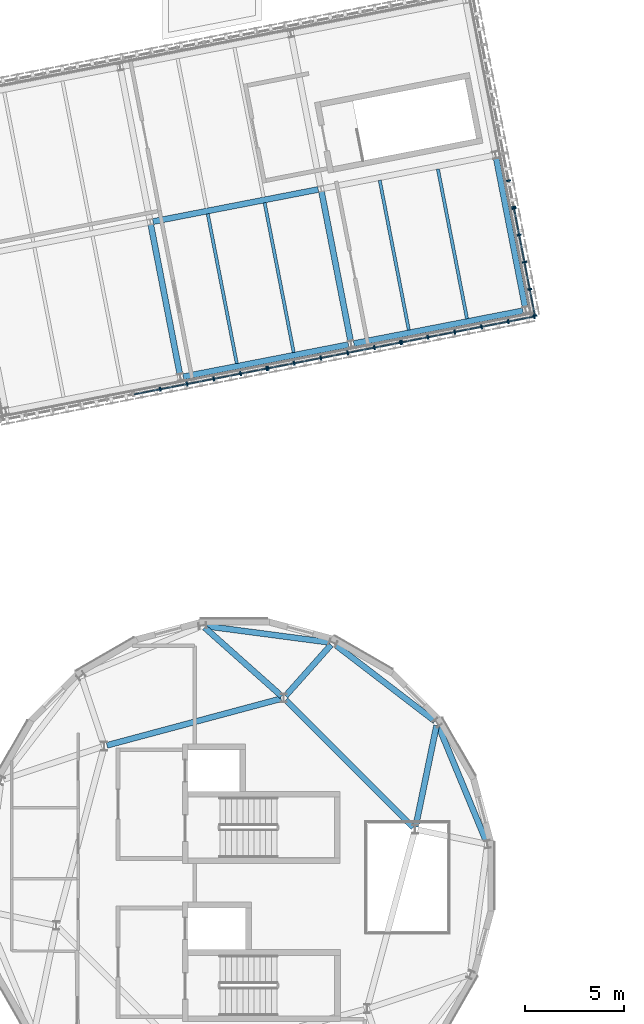
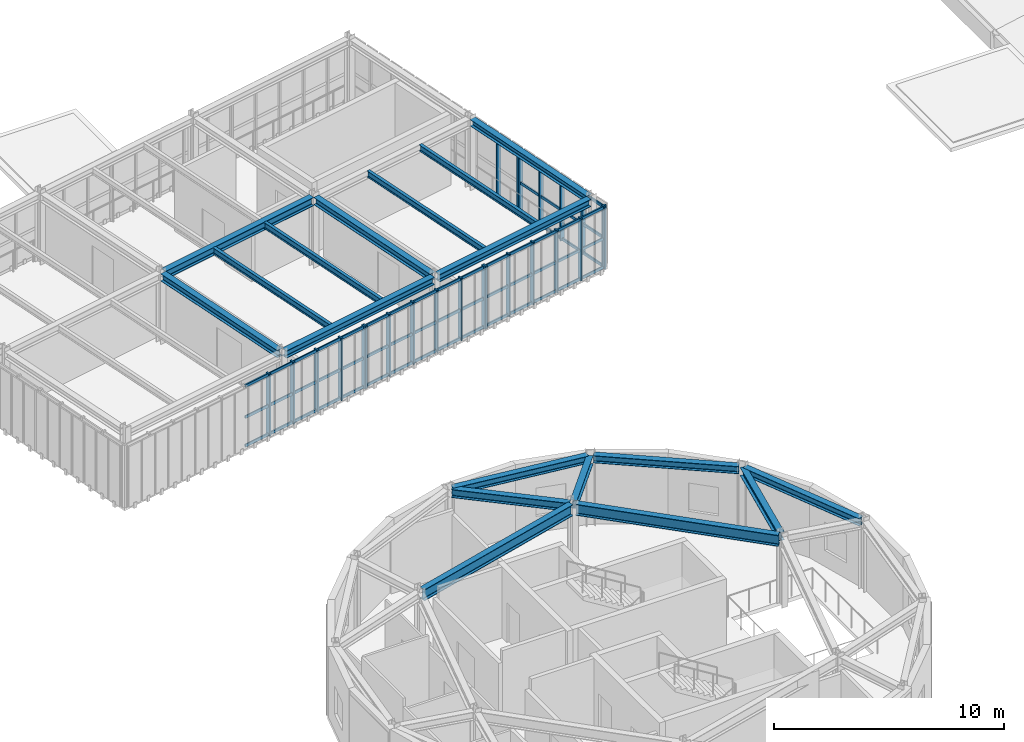
# One storey, part 14 of 44: 36 members, 18 beams, 5 elements without a shape of their own.
"""IFC4 building model written with IfcOpenShell, lengths in metres."""

from ifc_helpers import new_model, si_unit, direction, frame, origin, origin_2d, place, context, subcontext, project, spatial, rectangle, i_section, extrude, material, material_profile, profile_set, type_object, element, aggregate, save


model = new_model("IFC4")

# Units and contexts
model_context = context("Model", 3, precision=1e-05, world=origin(), true_north=direction((0.0, 1.0)))
body_context = subcontext(model_context, "Body", "Model", "MODEL_VIEW")
ifc_project = project(units=[si_unit("LENGTHUNIT", "METRE"), si_unit("AREAUNIT", "SQUARE_METRE"), si_unit("VOLUMEUNIT", "CUBIC_METRE"), si_unit("PLANEANGLEUNIT", "RADIAN"), si_unit("MASSUNIT", "GRAM", prefix="KILO")], contexts=[model_context])

# Site, building, storey
site_placement = place(None, origin())
site = spatial("IfcSite", under=ifc_project, at=site_placement, CompositionType="ELEMENT")
building_placement = place(site_placement, origin())
building = spatial("IfcBuilding", under=site, at=building_placement, Name="Varnklinge Art Gallery", CompositionType="ELEMENT")
storey_placement = place(building_placement, frame((0.0, 0.0, 13.679931640625)))
storey = spatial("IfcBuildingStorey", under=building, at=storey_placement, Name="L03", CompositionType="ELEMENT", Elevation=13.679931640625)

# Beams
ifc_material_1 = material(Name="Steel S355", Category="steel")
ifc_material_profile_1 = material_profile(ifc_material_1, i_section(OverallWidth=0.300048828125, OverallDepth=0.590087890625, WebThickness=0.012939453125, FlangeThickness=0.02490234375, FilletRadius=0.027099609375, at=origin_2d()), Name="HEA 600")
ifc_profile_set_1 = profile_set([ifc_material_profile_1], Name="Steel S355")
beam_type_1 = type_object("IfcBeamType", Name="BM-06", PredefinedType="BEAM", material=ifc_profile_set_1)
beam_1_placement = place(storey_placement, frame((84.480712890625, 41.031982421875, 3.465087890625), z_axis=(-0.707106781187, 0.707106781187, 0.0), x_axis=(-0.707106781187, -0.707106781187, 0.0)))
element("IfcBeam", 1, at=beam_1_placement, inside=storey, type_object=beam_type_1, Name="L03 BM-06 BM-V4D-L04-I1", PredefinedType="BEAM", context=body_context, shape_type="SweptSolid", body=[
    extrude(i_section(OverallWidth=0.300048828125, OverallDepth=0.590087890625, WebThickness=0.012939453125, FlangeThickness=0.02490234375, FilletRadius=0.027099609375, at=origin_2d()), origin(), (0.0, 0.0, 1.0), 9.119873046875),
])
beam_2_placement = place(storey_placement, frame((77.797607421875, 47.54345703125, 3.465087890625), z_axis=(-0.965928574877, -0.258808787016, 0.0), x_axis=(0.258808787016, -0.965928574877, 0.0)))
element("IfcBeam", 2, at=beam_2_placement, inside=storey, type_object=beam_type_1, Name="L03 BM-06 BM-V4D-L04-I2", PredefinedType="BEAM", context=body_context, shape_type="SweptSolid", body=[
    extrude(i_section(OverallWidth=0.300048828125, OverallDepth=0.590087890625, WebThickness=0.012939453125, FlangeThickness=0.02490234375, FilletRadius=0.027099609375, at=origin_2d()), origin(), (0.0, 0.0, 1.0), 9.1201171875),
])
ifc_material_2 = material(Name="Steel S355", Category="steel")
ifc_material_profile_2 = material_profile(ifc_material_2, i_section(OverallWidth=0.300048828125, OverallDepth=0.43994140625, WebThickness=0.011474609375, FlangeThickness=0.02099609375, FilletRadius=0.027099609375, at=origin_2d()), Name="HEA 450")
ifc_profile_set_2 = profile_set([ifc_material_profile_2], Name="Steel S355")
beam_type_2 = type_object("IfcBeamType", Name="BM-08", PredefinedType="BEAM", material=ifc_profile_set_2)
beam_3_placement = place(storey_placement, frame((84.608154296875, 41.070068359375, 3.5400390625), z_axis=(0.202556149381, 0.979270650202, 0.0), x_axis=(-0.979270650202, 0.202556149381, 0.0)))
element("IfcBeam", 3, at=beam_3_placement, inside=storey, type_object=beam_type_2, Name="L03 BM-08 BM-V4D-L04-R02", PredefinedType="BEAM", context=body_context, shape_type="SweptSolid", body=[
    extrude(i_section(OverallWidth=0.300048828125, OverallDepth=0.43994140625, WebThickness=0.011474609375, FlangeThickness=0.02099609375, FilletRadius=0.027099609375, at=origin_2d()), origin(), (0.0, 0.0, 1.0), 5.223876953125),
])
beam_4_placement = place(storey_placement, frame((78.02587890625, 47.684326171875, 3.5400390625), z_axis=(0.664780083084, 0.747039116201, 0.0), x_axis=(-0.747039116201, 0.664780083084, 0.0)))
element("IfcBeam", 4, at=beam_4_placement, inside=storey, type_object=beam_type_2, Name="L03 BM-08 BM-V4D-L04-R03", PredefinedType="BEAM", context=body_context, shape_type="SweptSolid", body=[
    extrude(i_section(OverallWidth=0.300048828125, OverallDepth=0.43994140625, WebThickness=0.011474609375, FlangeThickness=0.02099609375, FilletRadius=0.027099609375, at=origin_2d()), origin(), (0.0, 0.0, 1.0), 3.457763671875),
])
beam_5_placement = place(storey_placement, frame((77.828369140625, 47.6728515625, 3.5400390625), z_axis=(-0.746795307155, 0.665053959623, 0.0), x_axis=(-0.665053959623, -0.746795307155, 0.0)))
element("IfcBeam", 5, at=beam_5_placement, inside=storey, type_object=beam_type_2, Name="L03 BM-08 BM-V4D-L04-R04", PredefinedType="BEAM", context=body_context, shape_type="SweptSolid", body=[
    extrude(i_section(OverallWidth=0.300048828125, OverallDepth=0.43994140625, WebThickness=0.011474609375, FlangeThickness=0.02099609375, FilletRadius=0.027099609375, at=origin_2d()), origin(), (0.0, 0.0, 1.0), 5.223876953125),
])
beam_6_placement = place(storey_placement, frame((71.318115234375, 71.68701171875, 3.5400390625), z_axis=(0.981622248906, 0.19083437964, 0.0), x_axis=(-0.19083437964, 0.981622248906, 0.0)))
element("IfcBeam", 6, at=beam_6_placement, inside=storey, type_object=beam_type_2, Name="L03 BM-08 BM-V4B-L04-U1-1", PredefinedType="BEAM", context=body_context, shape_type="SweptSolid", body=[
    extrude(i_section(OverallWidth=0.300048828125, OverallDepth=0.43994140625, WebThickness=0.011474609375, FlangeThickness=0.02099609375, FilletRadius=0.027099609375, at=origin_2d()), origin(), (0.0, 0.0, 1.0), 8.520263671875),
])
ifc_material_3 = material(Name="Steel S355", Category="steel")
ifc_material_profile_3 = material_profile(ifc_material_3, i_section(OverallWidth=0.300048828125, OverallDepth=0.389892578125, WebThickness=0.010986328125, FlangeThickness=0.01904296875, FilletRadius=0.027099609375, at=origin_2d()), Name="HEA 400")
ifc_profile_set_3 = profile_set([ifc_material_profile_3], Name="Steel S355")
beam_type_3 = type_object("IfcBeamType", Name="BM-09", PredefinedType="BEAM", material=ifc_profile_set_3)
beam_7_placement = place(storey_placement, frame((72.6806640625, 63.94482421875, 3.565185546875), z_axis=(-0.190822257393, 0.98162460548, 0.0), x_axis=(-0.98162460548, -0.190822257393, 0.0)))
element("IfcBeam", 7, at=beam_7_placement, inside=storey, type_object=beam_type_3, Name="L03 BM-09 BM-V4B-L04-V1-0", PredefinedType="BEAM", context=body_context, shape_type="SweptSolid", body=[
    extrude(i_section(OverallWidth=0.300048828125, OverallDepth=0.389892578125, WebThickness=0.010986328125, FlangeThickness=0.01904296875, FilletRadius=0.027099609375, at=origin_2d()), origin(), (0.0, 0.0, 1.0), 7.719970703125),
])
beam_8_placement = place(storey_placement, frame((81.31884765625, 65.623779296875, 3.565185546875), z_axis=(-0.190785861445, 0.981631679946, 0.0), x_axis=(-0.981631679946, -0.190785861445, 0.0)))
element("IfcBeam", 8, at=beam_8_placement, inside=storey, type_object=beam_type_3, Name="L03 BM-09 BM-V4B-L04-V2-0", PredefinedType="BEAM", context=body_context, shape_type="SweptSolid", body=[
    extrude(i_section(OverallWidth=0.300048828125, OverallDepth=0.389892578125, WebThickness=0.010986328125, FlangeThickness=0.01904296875, FilletRadius=0.027099609375, at=origin_2d()), origin(), (0.0, 0.0, 1.0), 7.72021484375),
])
ifc_material_4 = material(Name="Steel S355", Category="steel")
ifc_material_profile_4 = material_profile(ifc_material_4, i_section(OverallWidth=0.159912109375, OverallDepth=0.330078125, WebThickness=0.007568359375, FlangeThickness=0.011474609375, FilletRadius=0.01806640625, at=origin_2d()), Name="IPE 330")
ifc_profile_set_4 = profile_set([ifc_material_profile_4], Name="Steel S355")
beam_type_4 = type_object("IfcBeamType", Name="JST-07", PredefinedType="JOIST", material=ifc_profile_set_4)
beam_9_placement = place(storey_placement, frame((75.56005859375, 64.50439453125, 3.594970703125), z_axis=(-0.190816333803, 0.981625756974, 0.0), x_axis=(-0.981625756974, -0.190816333803, 0.0)))
element("IfcBeam", 9, at=beam_9_placement, inside=storey, type_object=beam_type_4, Name="L03 JST-07 JST-V4B-L04-1-0-1", PredefinedType="JOIST", context=body_context, shape_type="SweptSolid", body=[
    extrude(i_section(OverallWidth=0.159912109375, OverallDepth=0.330078125, WebThickness=0.007568359375, FlangeThickness=0.011474609375, FilletRadius=0.01806640625, at=origin_2d()), origin(), (0.0, 0.0, 1.0), 7.72021484375),
])
beam_10_placement = place(storey_placement, frame((78.439453125, 65.064208984375, 3.594970703125), z_axis=(-0.190822257393, 0.98162460548, 0.0), x_axis=(-0.98162460548, -0.190822257393, 0.0)))
element("IfcBeam", 10, at=beam_10_placement, inside=storey, type_object=beam_type_4, Name="L03 JST-07 JST-V4B-L04-1-0-2", PredefinedType="JOIST", context=body_context, shape_type="SweptSolid", body=[
    extrude(i_section(OverallWidth=0.159912109375, OverallDepth=0.330078125, WebThickness=0.007568359375, FlangeThickness=0.011474609375, FilletRadius=0.01806640625, at=origin_2d()), origin(), (0.0, 0.0, 1.0), 7.719970703125),
])
beam_11_placement = place(storey_placement, frame((84.263916015625, 66.1962890625, 3.594970703125), z_axis=(-0.190816333803, 0.981625756974, 0.0), x_axis=(-0.981625756974, -0.190816333803, 0.0)))
element("IfcBeam", 11, at=beam_11_placement, inside=storey, type_object=beam_type_4, Name="L03 JST-07 JST-V4B-L04-2-0-1", PredefinedType="JOIST", context=body_context, shape_type="SweptSolid", body=[
    extrude(i_section(OverallWidth=0.159912109375, OverallDepth=0.330078125, WebThickness=0.007568359375, FlangeThickness=0.011474609375, FilletRadius=0.01806640625, at=origin_2d()), origin(), (0.0, 0.0, 1.0), 7.72021484375),
])
beam_12_placement = place(storey_placement, frame((87.208740234375, 66.768798828125, 3.594970703125), z_axis=(-0.190822257393, 0.98162460548, 0.0), x_axis=(-0.98162460548, -0.190822257393, 0.0)))
element("IfcBeam", 12, at=beam_12_placement, inside=storey, type_object=beam_type_4, Name="L03 JST-07 JST-V4B-L04-2-0-2", PredefinedType="JOIST", context=body_context, shape_type="SweptSolid", body=[
    extrude(i_section(OverallWidth=0.159912109375, OverallDepth=0.330078125, WebThickness=0.007568359375, FlangeThickness=0.011474609375, FilletRadius=0.01806640625, at=origin_2d()), origin(), (0.0, 0.0, 1.0), 7.719970703125),
])

# Curtain wall, members
ifc_material_5 = material(Name="Anodised Aluminium", Category="aluminium")
curtain_wall_type_1 = type_object("IfcCurtainWallType", Name="CW-L04", PredefinedType="USERDEFINED", material=ifc_material_5)
curtain_wall_1_placement = place(storey_placement, origin())
curtain_wall_1 = element("IfcCurtainWall", 13, at=curtain_wall_1_placement, inside=storey, type_object=curtain_wall_type_1, Name="L03 Curtain Wall CW-V4B-L03-1-1-2", ObjectType="UNITISED CURTAIN WALL", PredefinedType="USERDEFINED")
ifc_material_6 = material(Name="Anodised Aluminium", Category="aluminium")
ifc_material_profile_5 = material_profile(ifc_material_6, rectangle(XDim=0.074951171875, YDim=0.219970703125, at=origin_2d()), Name="ALU 75x220")
ifc_profile_set_5 = profile_set([ifc_material_profile_5], Name="Anodised Aluminium")
member_type_1 = type_object("IfcMemberType", Name="MUL-02", PredefinedType="MULLION", material=ifc_profile_set_5)
member_1_placement = place(storey_placement, frame((71.68408203125, 63.201171875, 0.0), z_axis=(0.0, 0.0, 1.0), x_axis=(0.981627183448, 0.190808995377, 0.0)))
member_1 = element("IfcMember", 14, at=member_1_placement, type_object=member_type_1, Name="CW-V4B-L03-1-1-2 Mullion 2", PredefinedType="MULLION", context=body_context, shape_type="SweptSolid", body=[
    extrude(rectangle(XDim=0.074951171875, YDim=0.219970703125, at=origin_2d()), origin(), (0.0, 0.0, 1.0), 3.31005859375),
])
member_2_placement = place(storey_placement, frame((73.038818359375, 63.46435546875, 0.0), z_axis=(0.0, 0.0, 1.0), x_axis=(0.981627183448, 0.190808995377, 0.0)))
member_2 = element("IfcMember", 15, at=member_2_placement, type_object=member_type_1, Name="CW-V4B-L03-1-1-2 Mullion 3", PredefinedType="MULLION", context=body_context, shape_type="SweptSolid", body=[
    extrude(rectangle(XDim=0.074951171875, YDim=0.219970703125, at=origin_2d()), origin(), (0.0, 0.0, 1.0), 3.31005859375),
])
member_3_placement = place(storey_placement, frame((74.3935546875, 63.727783203125, 0.0), z_axis=(0.0, 0.0, 1.0), x_axis=(0.981627183448, 0.190808995377, 0.0)))
member_3 = element("IfcMember", 16, at=member_3_placement, type_object=member_type_1, Name="CW-V4B-L03-1-1-2 Mullion 4", PredefinedType="MULLION", context=body_context, shape_type="SweptSolid", body=[
    extrude(rectangle(XDim=0.074951171875, YDim=0.219970703125, at=origin_2d()), origin(), (0.0, 0.0, 1.0), 3.31005859375),
])
member_4_placement = place(storey_placement, frame((75.748046875, 63.9912109375, 0.0), z_axis=(0.0, 0.0, 1.0), x_axis=(0.981627183448, 0.190808995377, 0.0)))
member_4 = element("IfcMember", 17, at=member_4_placement, type_object=member_type_1, Name="CW-V4B-L03-1-1-2 Mullion 5", PredefinedType="MULLION", context=body_context, shape_type="SweptSolid", body=[
    extrude(rectangle(XDim=0.074951171875, YDim=0.219970703125, at=origin_2d()), origin(), (0.0, 0.0, 1.0), 3.31005859375),
])
member_5_placement = place(storey_placement, frame((77.06591796875, 64.247314453125, 0.0), z_axis=(0.0, 0.0, 1.0), x_axis=(0.981627183448, 0.190808995377, 0.0)))
member_5 = element("IfcMember", 18, at=member_5_placement, type_object=member_type_1, Name="CW-V4B-L03-1-1-2 Mullion 6", PredefinedType="MULLION", context=body_context, shape_type="SweptSolid", body=[
    extrude(rectangle(XDim=0.074951171875, YDim=0.219970703125, at=origin_2d()), origin(), (0.0, 0.0, 1.0), 3.31005859375),
])

curtain_wall_2_placement = place(storey_placement, origin())
curtain_wall_2 = element("IfcCurtainWall", 19, at=curtain_wall_2_placement, inside=storey, type_object=curtain_wall_type_1, Name="L03 Curtain Wall CW-V4B-L03-1-1-3", ObjectType="UNITISED CURTAIN WALL", PredefinedType="USERDEFINED")
member_6_placement = place(storey_placement, frame((77.1396484375, 64.26171875, 0.0), z_axis=(0.0, 0.0, 1.0), x_axis=(0.981627183448, 0.190808995377, 0.0)))
member_6 = element("IfcMember", 20, at=member_6_placement, type_object=member_type_1, Name="CW-V4B-L03-1-1-3 Mullion 1", PredefinedType="MULLION", context=body_context, shape_type="SweptSolid", body=[
    extrude(rectangle(XDim=0.074951171875, YDim=0.219970703125, at=origin_2d()), origin(), (0.0, 0.0, 1.0), 3.31005859375),
])
member_7_placement = place(storey_placement, frame((78.45751953125, 64.517578125, 0.0), z_axis=(0.0, 0.0, 1.0), x_axis=(0.981627183448, 0.190808995377, 0.0)))
member_7 = element("IfcMember", 21, at=member_7_placement, type_object=member_type_1, Name="CW-V4B-L03-1-1-3 Mullion 2", PredefinedType="MULLION", context=body_context, shape_type="SweptSolid", body=[
    extrude(rectangle(XDim=0.074951171875, YDim=0.219970703125, at=origin_2d()), origin(), (0.0, 0.0, 1.0), 3.31005859375),
])
member_8_placement = place(storey_placement, frame((79.81201171875, 64.781005859375, 0.0), z_axis=(0.0, 0.0, 1.0), x_axis=(0.981627183448, 0.190808995377, 0.0)))
member_8 = element("IfcMember", 22, at=member_8_placement, type_object=member_type_1, Name="CW-V4B-L03-1-1-3 Mullion 3", PredefinedType="MULLION", context=body_context, shape_type="SweptSolid", body=[
    extrude(rectangle(XDim=0.074951171875, YDim=0.219970703125, at=origin_2d()), origin(), (0.0, 0.0, 1.0), 3.31005859375),
])
member_9_placement = place(storey_placement, frame((81.166748046875, 65.044189453125, 0.0), z_axis=(0.0, 0.0, 1.0), x_axis=(0.981627183448, 0.190808995377, 0.0)))
member_9 = element("IfcMember", 23, at=member_9_placement, type_object=member_type_1, Name="CW-V4B-L03-1-1-3 Mullion 4", PredefinedType="MULLION", context=body_context, shape_type="SweptSolid", body=[
    extrude(rectangle(XDim=0.074951171875, YDim=0.219970703125, at=origin_2d()), origin(), (0.0, 0.0, 1.0), 3.31005859375),
])
member_10_placement = place(storey_placement, frame((82.521484375, 65.3076171875, 0.0), z_axis=(0.0, 0.0, 1.0), x_axis=(0.981627183448, 0.190808995377, 0.0)))
member_10 = element("IfcMember", 24, at=member_10_placement, type_object=member_type_1, Name="CW-V4B-L03-1-1-3 Mullion 5", PredefinedType="MULLION", context=body_context, shape_type="SweptSolid", body=[
    extrude(rectangle(XDim=0.074951171875, YDim=0.219970703125, at=origin_2d()), origin(), (0.0, 0.0, 1.0), 3.31005859375),
])
member_11_placement = place(storey_placement, frame((83.839111328125, 65.563720703125, 0.0), z_axis=(0.0, 0.0, 1.0), x_axis=(0.981627183448, 0.190808995377, 0.0)))
member_11 = element("IfcMember", 25, at=member_11_placement, type_object=member_type_1, Name="CW-V4B-L03-1-1-3 Mullion 6", PredefinedType="MULLION", context=body_context, shape_type="SweptSolid", body=[
    extrude(rectangle(XDim=0.074951171875, YDim=0.219970703125, at=origin_2d()), origin(), (0.0, 0.0, 1.0), 3.31005859375),
])

curtain_wall_3_placement = place(storey_placement, origin())
curtain_wall_3 = element("IfcCurtainWall", 26, at=curtain_wall_3_placement, inside=storey, type_object=curtain_wall_type_1, Name="L03 Curtain Wall CW-V4B-L03-1-1-4", ObjectType="UNITISED CURTAIN WALL", PredefinedType="USERDEFINED")
member_12_placement = place(storey_placement, frame((83.912841796875, 65.578125, 0.0), z_axis=(0.0, 0.0, 1.0), x_axis=(0.981627183448, 0.190808995377, 0.0)))
member_12 = element("IfcMember", 27, at=member_12_placement, type_object=member_type_1, Name="CW-V4B-L03-1-1-4 Mullion 1", PredefinedType="MULLION", context=body_context, shape_type="SweptSolid", body=[
    extrude(rectangle(XDim=0.074951171875, YDim=0.219970703125, at=origin_2d()), origin(), (0.0, 0.0, 1.0), 3.31005859375),
])
member_13_placement = place(storey_placement, frame((85.230712890625, 65.834228515625, 0.0), z_axis=(0.0, 0.0, 1.0), x_axis=(0.981627183448, 0.190808995377, 0.0)))
member_13 = element("IfcMember", 28, at=member_13_placement, type_object=member_type_1, Name="CW-V4B-L03-1-1-4 Mullion 2", PredefinedType="MULLION", context=body_context, shape_type="SweptSolid", body=[
    extrude(rectangle(XDim=0.074951171875, YDim=0.219970703125, at=origin_2d()), origin(), (0.0, 0.0, 1.0), 3.31005859375),
])
member_14_placement = place(storey_placement, frame((86.585205078125, 66.097412109375, 0.0), z_axis=(0.0, 0.0, 1.0), x_axis=(0.981627183448, 0.190808995377, 0.0)))
member_14 = element("IfcMember", 29, at=member_14_placement, type_object=member_type_1, Name="CW-V4B-L03-1-1-4 Mullion 3", PredefinedType="MULLION", context=body_context, shape_type="SweptSolid", body=[
    extrude(rectangle(XDim=0.074951171875, YDim=0.219970703125, at=origin_2d()), origin(), (0.0, 0.0, 1.0), 3.31005859375),
])
member_15_placement = place(storey_placement, frame((87.93994140625, 66.36083984375, 0.0), z_axis=(0.0, 0.0, 1.0), x_axis=(0.981627183448, 0.190808995377, 0.0)))
member_15 = element("IfcMember", 30, at=member_15_placement, type_object=member_type_1, Name="CW-V4B-L03-1-1-4 Mullion 4", PredefinedType="MULLION", context=body_context, shape_type="SweptSolid", body=[
    extrude(rectangle(XDim=0.074951171875, YDim=0.219970703125, at=origin_2d()), origin(), (0.0, 0.0, 1.0), 3.31005859375),
])
member_16_placement = place(storey_placement, frame((89.294677734375, 66.624267578125, 0.0), z_axis=(0.0, 0.0, 1.0), x_axis=(0.981627183448, 0.190808995377, 0.0)))
member_16 = element("IfcMember", 31, at=member_16_placement, type_object=member_type_1, Name="CW-V4B-L03-1-1-4 Mullion 5", PredefinedType="MULLION", context=body_context, shape_type="SweptSolid", body=[
    extrude(rectangle(XDim=0.074951171875, YDim=0.219970703125, at=origin_2d()), origin(), (0.0, 0.0, 1.0), 3.31005859375),
])
member_17_placement = place(storey_placement, frame((90.612548828125, 66.88037109375, 0.0), z_axis=(0.0, 0.0, 1.0), x_axis=(0.981627183448, 0.190808995377, 0.0)))
member_17 = element("IfcMember", 32, at=member_17_placement, type_object=member_type_1, Name="CW-V4B-L03-1-1-4 Mullion 6", PredefinedType="MULLION", context=body_context, shape_type="SweptSolid", body=[
    extrude(rectangle(XDim=0.074951171875, YDim=0.219970703125, at=origin_2d()), origin(), (0.0, 0.0, 1.0), 3.31005859375),
])

ifc_material_7 = material(Name="Anodised Aluminium", Category="aluminium")
curtain_wall_type_2 = type_object("IfcCurtainWallType", Name="CW-L08", PredefinedType="USERDEFINED", material=ifc_material_7)
curtain_wall_4_placement = place(storey_placement, origin())
curtain_wall_4 = element("IfcCurtainWall", 33, at=curtain_wall_4_placement, inside=storey, type_object=curtain_wall_type_2, Name="L03 Curtain Wall CW-V4B-L03-2-1-1", ObjectType="UNITISED CURTAIN WALL", PredefinedType="USERDEFINED")
member_18_placement = place(storey_placement, frame((90.64208984375, 66.92431640625, 0.0), z_axis=(0.0, 0.0, 1.0), x_axis=(-0.190808995377, 0.981627183448, 0.0)))
member_18 = element("IfcMember", 34, at=member_18_placement, type_object=member_type_1, Name="CW-V4B-L03-2-1-1 Mullion 1", PredefinedType="MULLION", context=body_context, shape_type="SweptSolid", body=[
    extrude(rectangle(XDim=0.074951171875, YDim=0.219970703125, at=origin_2d()), origin(), (0.0, 0.0, 1.0), 3.31005859375),
])
member_19_placement = place(storey_placement, frame((90.382080078125, 68.26171875, 0.0), z_axis=(0.0, 0.0, 1.0), x_axis=(-0.190808995377, 0.981627183448, 0.0)))
member_19 = element("IfcMember", 35, at=member_19_placement, type_object=member_type_1, Name="CW-V4B-L03-2-1-1 Mullion 2", PredefinedType="MULLION", context=body_context, shape_type="SweptSolid", body=[
    extrude(rectangle(XDim=0.074951171875, YDim=0.219970703125, at=origin_2d()), origin(), (0.0, 0.0, 1.0), 3.31005859375),
])
member_20_placement = place(storey_placement, frame((90.114990234375, 69.635986328125, 0.0), z_axis=(0.0, 0.0, 1.0), x_axis=(-0.190808995377, 0.981627183448, 0.0)))
member_20 = element("IfcMember", 36, at=member_20_placement, type_object=member_type_1, Name="CW-V4B-L03-2-1-1 Mullion 3", PredefinedType="MULLION", context=body_context, shape_type="SweptSolid", body=[
    extrude(rectangle(XDim=0.074951171875, YDim=0.219970703125, at=origin_2d()), origin(), (0.0, 0.0, 1.0), 3.31005859375),
])
member_21_placement = place(storey_placement, frame((89.847900390625, 71.01025390625, 0.0), z_axis=(0.0, 0.0, 1.0), x_axis=(-0.190808995377, 0.981627183448, 0.0)))
member_21 = element("IfcMember", 37, at=member_21_placement, type_object=member_type_1, Name="CW-V4B-L03-2-1-1 Mullion 4", PredefinedType="MULLION", context=body_context, shape_type="SweptSolid", body=[
    extrude(rectangle(XDim=0.074951171875, YDim=0.219970703125, at=origin_2d()), origin(), (0.0, 0.0, 1.0), 3.31005859375),
])
member_22_placement = place(storey_placement, frame((89.587890625, 72.347900390625, 0.0), z_axis=(0.0, 0.0, 1.0), x_axis=(-0.190808995377, 0.981627183448, 0.0)))
member_22 = element("IfcMember", 38, at=member_22_placement, type_object=member_type_1, Name="CW-V4B-L03-2-1-1 Mullion 5", PredefinedType="MULLION", context=body_context, shape_type="SweptSolid", body=[
    extrude(rectangle(XDim=0.074951171875, YDim=0.219970703125, at=origin_2d()), origin(), (0.0, 0.0, 1.0), 3.31005859375),
])

curtain_wall_5_placement = place(storey_placement, origin())
curtain_wall_5 = element("IfcCurtainWall", 39, at=curtain_wall_5_placement, inside=storey, type_object=curtain_wall_type_2, Name="L03 Curtain Wall CW-V4B-L03-2-1-2", ObjectType="UNITISED CURTAIN WALL", PredefinedType="USERDEFINED")
member_23_placement = place(storey_placement, frame((89.573486328125, 72.42138671875, 0.0), z_axis=(0.0, 0.0, 1.0), x_axis=(-0.190808995377, 0.981627183448, 0.0)))
member_23 = element("IfcMember", 40, at=member_23_placement, type_object=member_type_1, Name="CW-V4B-L03-2-1-2 Mullion 1", PredefinedType="MULLION", context=body_context, shape_type="SweptSolid", body=[
    extrude(rectangle(XDim=0.074951171875, YDim=0.219970703125, at=origin_2d()), origin(), (0.0, 0.0, 1.0), 3.31005859375),
])
member_24_placement = place(storey_placement, frame((89.313720703125, 73.7587890625, 0.0), z_axis=(0.0, 0.0, 1.0), x_axis=(-0.190808995377, 0.981627183448, 0.0)))
member_24 = element("IfcMember", 41, at=member_24_placement, type_object=member_type_1, Name="CW-V4B-L03-2-1-2 Mullion 2", PredefinedType="MULLION", context=body_context, shape_type="SweptSolid", body=[
    extrude(rectangle(XDim=0.074951171875, YDim=0.219970703125, at=origin_2d()), origin(), (0.0, 0.0, 1.0), 3.31005859375),
])
aggregate(curtain_wall_5, [member_23, member_24])

# Beams
ifc_material_8 = material(Name="Steel S355", Category="steel")
ifc_material_profile_6 = material_profile(ifc_material_8, i_section(OverallWidth=0.300048828125, OverallDepth=0.389892578125, WebThickness=0.010986328125, FlangeThickness=0.01904296875, FilletRadius=0.027099609375, at=origin_2d()), Name="HEA 400")
ifc_profile_set_6 = profile_set([ifc_material_profile_6], Name="Steel S355")
beam_type_5 = type_object("IfcBeamType", Name="SPB-03", PredefinedType="SPANDREL", material=ifc_profile_set_6)
for number, where, z_axis, x_axis, name in (
    (42, (88.1865234375, 40.306640625, 3.565185546875), (-0.382666510137, 0.923886541746, 0.0), (-0.923886541746, -0.382666510137, 0.0), "L03 SPB-03 BM-V4D-L04-P01"),
    (43, (85.58349609375, 46.40771484375, 3.565185546875), (-0.793344185287, 0.608773359857, 0.0), (-0.608773359857, -0.793344185287, 0.0), "L03 SPB-03 BM-V4D-L04-P02"),
):
    element("IfcBeam", number, at=place(storey_placement, frame(where, z_axis=z_axis, x_axis=x_axis)), inside=storey, type_object=beam_type_5, Name=name, PredefinedType="SPANDREL", context=body_context, shape_type="SweptSolid", body=[
        extrude(i_section(OverallWidth=0.300048828125, OverallDepth=0.389892578125, WebThickness=0.010986328125, FlangeThickness=0.01904296875, FilletRadius=0.027099609375, at=origin_2d()), origin(), (0.0, 0.0, 1.0), 6.37158203125),
    ])
beam_13_placement = place(storey_placement, frame((80.27880859375, 50.39013671875, 3.565185546875), z_axis=(-0.991448034575, 0.130502087099, 0.0), x_axis=(-0.130502087099, -0.991448034575, 0.0)))
element("IfcBeam", 44, at=beam_13_placement, inside=storey, type_object=beam_type_5, Name="L03 SPB-03 BM-V4D-L04-P03", PredefinedType="SPANDREL", context=body_context, shape_type="SweptSolid", body=[
    extrude(i_section(OverallWidth=0.300048828125, OverallDepth=0.389892578125, WebThickness=0.010986328125, FlangeThickness=0.01904296875, FilletRadius=0.027099609375, at=origin_2d()), origin(), (0.0, 0.0, 1.0), 6.371826171875),
])
beam_14_placement = place(storey_placement, frame((72.8447265625, 63.833984375, 3.565185546875), z_axis=(0.981626572932, 0.190812136181, 0.0), x_axis=(-0.190812136181, 0.981626572932, 0.0)))
element("IfcBeam", 45, at=beam_14_placement, inside=storey, type_object=beam_type_5, Name="L03 SPB-03 BM-V4B-L04-U0-1", PredefinedType="SPANDREL", context=body_context, shape_type="SweptSolid", body=[
    extrude(i_section(OverallWidth=0.300048828125, OverallDepth=0.389892578125, WebThickness=0.010986328125, FlangeThickness=0.01904296875, FilletRadius=0.027099609375, at=origin_2d()), origin(), (0.0, 0.0, 1.0), 8.52001953125),
])
beam_15_placement = place(storey_placement, frame((81.48291015625, 65.51318359375, 3.565185546875), z_axis=(0.981629083791, 0.190799218699, 0.0), x_axis=(-0.190799218699, 0.981629083791, 0.0)))
element("IfcBeam", 46, at=beam_15_placement, inside=storey, type_object=beam_type_5, Name="L03 SPB-03 BM-V4B-L04-U0-2", PredefinedType="SPANDREL", context=body_context, shape_type="SweptSolid", body=[
    extrude(i_section(OverallWidth=0.300048828125, OverallDepth=0.389892578125, WebThickness=0.010986328125, FlangeThickness=0.01904296875, FilletRadius=0.027099609375, at=origin_2d()), origin(), (0.0, 0.0, 1.0), 8.72021484375),
])
ifc_material_9 = material(Name="Steel S355", Category="steel")
ifc_material_profile_7 = material_profile(ifc_material_9, i_section(OverallWidth=0.300048828125, OverallDepth=0.35009765625, WebThickness=0.010009765625, FlangeThickness=0.017578125, FilletRadius=0.027099609375, at=origin_2d()), Name="HEA 360")
ifc_profile_set_7 = profile_set([ifc_material_profile_7], Name="Steel S355")
beam_type_6 = type_object("IfcBeamType", Name="SPB-04", PredefinedType="SPANDREL", material=ifc_profile_set_7)
beam_16_placement = place(storey_placement, frame((90.153564453125, 67.34130859375, 3.5849609375), z_axis=(-0.190822257393, 0.98162460548, 0.0), x_axis=(-0.98162460548, -0.190822257393, 0.0)))
element("IfcBeam", 47, at=beam_16_placement, inside=storey, type_object=beam_type_6, Name="L03 SPB-04 BM-V4B-L04-V3-0", PredefinedType="SPANDREL", context=body_context, shape_type="SweptSolid", body=[
    extrude(i_section(OverallWidth=0.300048828125, OverallDepth=0.35009765625, WebThickness=0.010009765625, FlangeThickness=0.017578125, FilletRadius=0.027099609375, at=origin_2d()), origin(), (0.0, 0.0, 1.0), 7.719970703125),
])

# Member
ifc_material_10 = material(Name="Anodised Aluminium", Category="aluminium")
ifc_material_profile_8 = material_profile(ifc_material_10, rectangle(XDim=0.06494140625, YDim=0.14990234375, at=origin_2d()), Name="ALU 65x150")
ifc_profile_set_8 = profile_set([ifc_material_profile_8], Name="Anodised Aluminium")
member_type_2 = type_object("IfcMemberType", Name="TRN-01", PredefinedType="USERDEFINED", material=ifc_profile_set_8)
member_25_placement = place(storey_placement, frame((70.3662109375, 62.945068359375, 0.074951171875), z_axis=(0.981628419203, 0.190802637855, 0.0), x_axis=(-0.190802637855, 0.981628419203, 0.0)))
member_25 = element("IfcMember", 48, at=member_25_placement, type_object=member_type_2, Name="CW-V4B-L03-1-1-2 Transom 1", ObjectType="TRANSOM", PredefinedType="USERDEFINED", context=body_context, shape_type="SweptSolid", body=[
    extrude(rectangle(XDim=0.06494140625, YDim=0.14990234375, at=origin_2d()), origin(), (0.0, 0.0, 1.0), 6.8251953125),
])

member_26_placement = place(storey_placement, frame((70.3662109375, 62.945068359375, 1.5888671875), z_axis=(0.981628419203, 0.190802637855, 0.0), x_axis=(-0.190802637855, 0.981628419203, 0.0)))
member_26 = element("IfcMember", 49, at=member_26_placement, type_object=member_type_2, Name="CW-V4B-L03-1-1-2 Transom 2", ObjectType="TRANSOM", PredefinedType="USERDEFINED", context=body_context, shape_type="SweptSolid", body=[
    extrude(rectangle(XDim=0.06494140625, YDim=0.14990234375, at=origin_2d()), origin(), (0.0, 0.0, 1.0), 6.8251953125),
])

member_27_placement = place(storey_placement, frame((70.3662109375, 62.945068359375, 3.235107421875), z_axis=(0.981628419203, 0.190802637855, 0.0), x_axis=(-0.190802637855, 0.981628419203, 0.0)))
member_27 = element("IfcMember", 50, at=member_27_placement, type_object=member_type_2, Name="CW-V4B-L03-1-1-2 Transom 3", ObjectType="TRANSOM", PredefinedType="USERDEFINED", context=body_context, shape_type="SweptSolid", body=[
    extrude(rectangle(XDim=0.06494140625, YDim=0.14990234375, at=origin_2d()), origin(), (0.0, 0.0, 1.0), 6.8251953125),
])

aggregate(curtain_wall_1, [member_1, member_2, member_3, member_4, member_5, member_25, member_26, member_27])

member_28_placement = place(storey_placement, frame((77.1396484375, 64.26171875, 0.074951171875), z_axis=(0.981633816585, 0.190774867674, 0.0), x_axis=(-0.190774867674, 0.981633816585, 0.0)))
member_28 = element("IfcMember", 51, at=member_28_placement, type_object=member_type_2, Name="CW-V4B-L03-1-1-3 Transom 1", ObjectType="TRANSOM", PredefinedType="USERDEFINED", context=body_context, shape_type="SweptSolid", body=[
    extrude(rectangle(XDim=0.06494140625, YDim=0.14990234375, at=origin_2d()), origin(), (0.0, 0.0, 1.0), 6.82470703125),
])

member_29_placement = place(storey_placement, frame((77.1396484375, 64.26171875, 1.5888671875), z_axis=(0.981633816585, 0.190774867674, 0.0), x_axis=(-0.190774867674, 0.981633816585, 0.0)))
member_29 = element("IfcMember", 52, at=member_29_placement, type_object=member_type_2, Name="CW-V4B-L03-1-1-3 Transom 2", ObjectType="TRANSOM", PredefinedType="USERDEFINED", context=body_context, shape_type="SweptSolid", body=[
    extrude(rectangle(XDim=0.06494140625, YDim=0.14990234375, at=origin_2d()), origin(), (0.0, 0.0, 1.0), 6.82470703125),
])

member_30_placement = place(storey_placement, frame((77.1396484375, 64.26171875, 3.235107421875), z_axis=(0.981633816585, 0.190774867674, 0.0), x_axis=(-0.190774867674, 0.981633816585, 0.0)))
member_30 = element("IfcMember", 53, at=member_30_placement, type_object=member_type_2, Name="CW-V4B-L03-1-1-3 Transom 3", ObjectType="TRANSOM", PredefinedType="USERDEFINED", context=body_context, shape_type="SweptSolid", body=[
    extrude(rectangle(XDim=0.06494140625, YDim=0.14990234375, at=origin_2d()), origin(), (0.0, 0.0, 1.0), 6.82470703125),
])

aggregate(curtain_wall_2, [member_6, member_7, member_8, member_9, member_10, member_11, member_28, member_29, member_30])

member_31_placement = place(storey_placement, frame((83.912841796875, 65.578125, 0.074951171875), z_axis=(0.981628419203, 0.190802637855, 0.0), x_axis=(-0.190802637855, 0.981628419203, 0.0)))
member_31 = element("IfcMember", 54, at=member_31_placement, type_object=member_type_2, Name="CW-V4B-L03-1-1-4 Transom 1", ObjectType="TRANSOM", PredefinedType="USERDEFINED", context=body_context, shape_type="SweptSolid", body=[
    extrude(rectangle(XDim=0.06494140625, YDim=0.14990234375, at=origin_2d()), origin(), (0.0, 0.0, 1.0), 6.8251953125),
])

member_32_placement = place(storey_placement, frame((83.912841796875, 65.578125, 1.5888671875), z_axis=(0.981628419203, 0.190802637855, 0.0), x_axis=(-0.190802637855, 0.981628419203, 0.0)))
member_32 = element("IfcMember", 55, at=member_32_placement, type_object=member_type_2, Name="CW-V4B-L03-1-1-4 Transom 2", ObjectType="TRANSOM", PredefinedType="USERDEFINED", context=body_context, shape_type="SweptSolid", body=[
    extrude(rectangle(XDim=0.06494140625, YDim=0.14990234375, at=origin_2d()), origin(), (0.0, 0.0, 1.0), 6.8251953125),
])

member_33_placement = place(storey_placement, frame((83.912841796875, 65.578125, 3.235107421875), z_axis=(0.981628419203, 0.190802637855, 0.0), x_axis=(-0.190802637855, 0.981628419203, 0.0)))
member_33 = element("IfcMember", 56, at=member_33_placement, type_object=member_type_2, Name="CW-V4B-L03-1-1-4 Transom 3", ObjectType="TRANSOM", PredefinedType="USERDEFINED", context=body_context, shape_type="SweptSolid", body=[
    extrude(rectangle(XDim=0.06494140625, YDim=0.14990234375, at=origin_2d()), origin(), (0.0, 0.0, 1.0), 6.8251953125),
])

aggregate(curtain_wall_3, [member_12, member_13, member_14, member_15, member_16, member_17, member_31, member_32, member_33])

member_34_placement = place(storey_placement, frame((90.64208984375, 66.92431640625, 0.074951171875), z_axis=(-0.190802243749, 0.981628495807, 0.0), x_axis=(-0.981628495807, -0.190802243749, 0.0)))
member_34 = element("IfcMember", 57, at=member_34_placement, type_object=member_type_2, Name="CW-V4B-L03-2-1-1 Transom 1", ObjectType="TRANSOM", PredefinedType="USERDEFINED", context=body_context, shape_type="SweptSolid", body=[
    extrude(rectangle(XDim=0.06494140625, YDim=0.14990234375, at=origin_2d()), origin(), (0.0, 0.0, 1.0), 5.525146484375),
])

member_35_placement = place(storey_placement, frame((90.64208984375, 66.92431640625, 1.5888671875), z_axis=(-0.190802243749, 0.981628495807, 0.0), x_axis=(-0.981628495807, -0.190802243749, 0.0)))
member_35 = element("IfcMember", 58, at=member_35_placement, type_object=member_type_2, Name="CW-V4B-L03-2-1-1 Transom 2", ObjectType="TRANSOM", PredefinedType="USERDEFINED", context=body_context, shape_type="SweptSolid", body=[
    extrude(rectangle(XDim=0.06494140625, YDim=0.14990234375, at=origin_2d()), origin(), (0.0, 0.0, 1.0), 5.525146484375),
])

member_36_placement = place(storey_placement, frame((90.64208984375, 66.92431640625, 3.235107421875), z_axis=(-0.190802243749, 0.981628495807, 0.0), x_axis=(-0.981628495807, -0.190802243749, 0.0)))
member_36 = element("IfcMember", 59, at=member_36_placement, type_object=member_type_2, Name="CW-V4B-L03-2-1-1 Transom 3", ObjectType="TRANSOM", PredefinedType="USERDEFINED", context=body_context, shape_type="SweptSolid", body=[
    extrude(rectangle(XDim=0.06494140625, YDim=0.14990234375, at=origin_2d()), origin(), (0.0, 0.0, 1.0), 5.525146484375),
])

aggregate(curtain_wall_4, [member_18, member_19, member_20, member_21, member_22, member_34, member_35, member_36])

save(model, "model.ifc")
